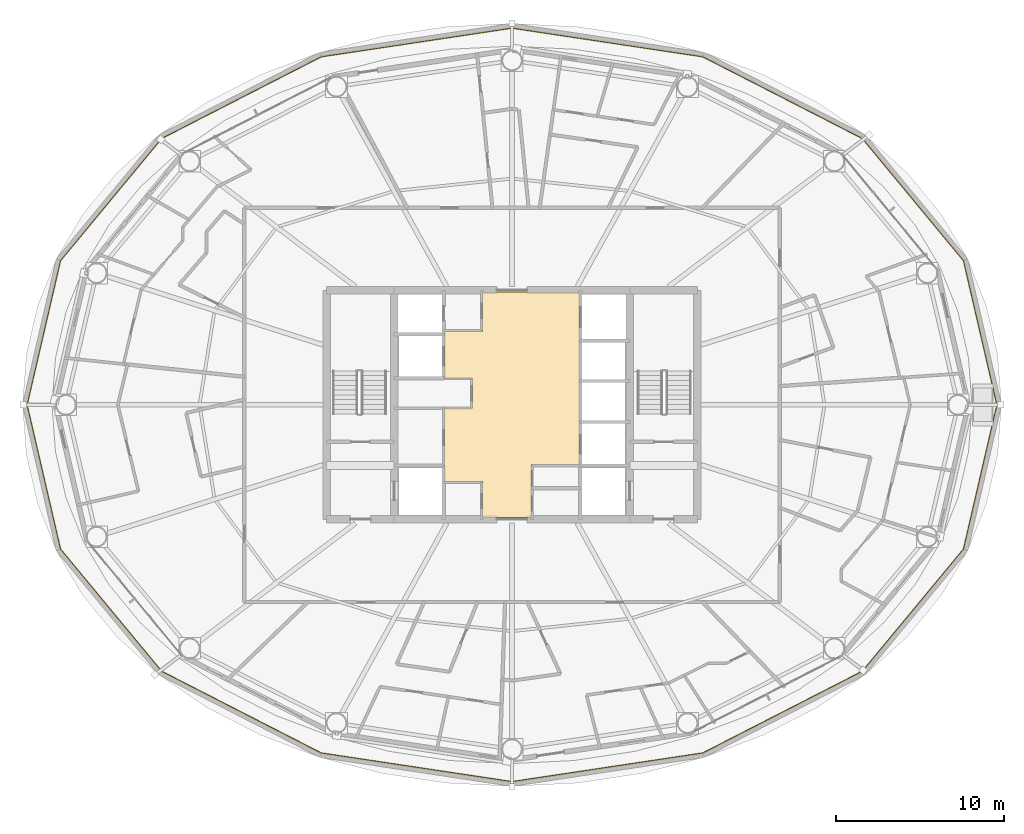
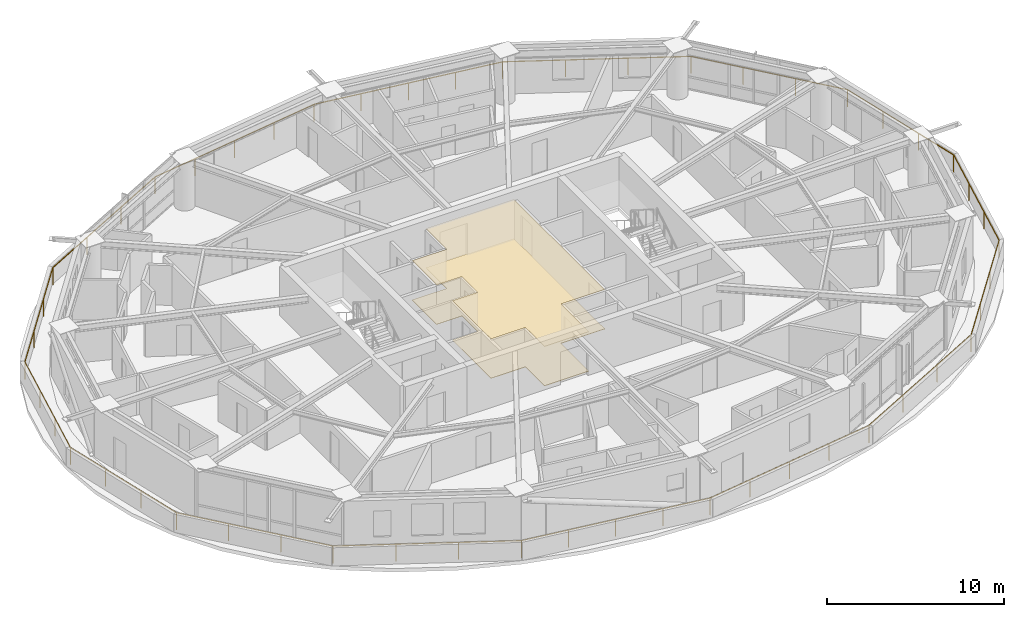
# One storey, part 26 of 27: 2 coverings, 1 railing.
"""IFC4 building model written with IfcOpenShell, lengths in metres."""

from ifc_helpers import new_model, si_unit, direction, frame, origin, origin_2d, place, context, subcontext, project, spatial, polyline, rectangle, outline, extrude, material, layer, layer_set, type_object, element, save


model = new_model("IFC4")

# Units and contexts
model_context = context("Model", 3, precision=1e-05, world=origin(), true_north=direction((0.0, 1.0)))
body_context = subcontext(model_context, "Body", "Model", "MODEL_VIEW")
ifc_project = project(units=[si_unit("LENGTHUNIT", "METRE"), si_unit("AREAUNIT", "SQUARE_METRE"), si_unit("VOLUMEUNIT", "CUBIC_METRE"), si_unit("PLANEANGLEUNIT", "RADIAN"), si_unit("MASSUNIT", "GRAM", prefix="KILO")], contexts=[model_context])

# Site, building, storey
site_placement = place(None, origin())
site = spatial("IfcSite", under=ifc_project, at=site_placement, CompositionType="ELEMENT")
building_placement = place(site_placement, origin())
building = spatial("IfcBuilding", under=site, at=building_placement, Name="Sarneth Arch Tower", CompositionType="ELEMENT")
storey_placement = place(building_placement, frame((0.0, 0.0, 150.60009765625)))
storey = spatial("IfcBuildingStorey", under=building, at=storey_placement, Name="L37", CompositionType="ELEMENT", Elevation=150.60009765625)

# Coverings
ifc_material_1 = material(Name="Perforated acoustic gypsum ceiling board")
ifc_layer_1 = layer(ifc_material_1, 0.02490234375)
ifc_layer_set_1 = layer_set([ifc_layer_1], Name="Perforated acoustic gypsum ceiling board")
covering_type_1 = type_object("IfcCoveringType", Name="COV-CEIL-GYP", PredefinedType="CEILING", material=ifc_layer_set_1)
covering_1_placement = place(storey_placement, frame((0.0, 0.0, 2.7099609375)))
element("IfcCovering", 1, at=covering_1_placement, inside=storey, type_object=covering_type_1, Name="L37 Lift lobby acoustic ceiling", PredefinedType="CEILING", context=body_context, shape_type="SweptSolid", body=[
    extrude(outline(polyline([(49.14990234375, 38.449951171875), (49.14990234375, 35.300048828125), (46.25, 35.300048828125), (46.25, 37.449951171875), (44.0, 37.449951171875), (44.0, 41.800048828125), (45.64990234375, 41.800048828125), (45.64990234375, 43.580078125), (44.0, 43.580078125), (44.0, 46.35009765625), (46.25, 46.35009765625), (46.25, 48.699951171875), (52.0, 48.699951171875), (52.0, 38.449951171875), (49.14990234375, 38.449951171875)])), origin(), (0.0, 0.0, 1.0), 0.030029296875),
])
ifc_material_2 = material(Name="Honed granite stone flooring", Category="masonry")
ifc_layer_2 = layer(ifc_material_2, 0.030029296875)
ifc_layer_set_2 = layer_set([ifc_layer_2], Name="Honed granite stone flooring")
covering_type_2 = type_object("IfcCoveringType", Name="COV-FLR-STONE", PredefinedType="FLOORING", material=ifc_layer_set_2)
covering_2_placement = place(storey_placement, origin())
element("IfcCovering", 2, at=covering_2_placement, inside=storey, type_object=covering_type_2, Name="L37 Lift lobby granite flooring", PredefinedType="FLOORING", context=body_context, shape_type="SweptSolid", body=[
    extrude(outline(polyline([(49.14990234375, 38.449951171875), (49.14990234375, 35.300048828125), (46.25, 35.300048828125), (46.25, 37.449951171875), (44.0, 37.449951171875), (44.0, 41.800048828125), (45.64990234375, 41.800048828125), (45.64990234375, 43.580078125), (44.0, 43.580078125), (44.0, 46.35009765625), (46.25, 46.35009765625), (46.25, 48.699951171875), (52.0, 48.699951171875), (52.0, 38.449951171875), (49.14990234375, 38.449951171875)])), origin(), (0.0, 0.0, 1.0), 0.02978515625),
])

# Railing
ifc_material_3 = material(Name="Laminated structural glass infill with Stainless Steel 316 top rail and posts", Category="steel")
railing_type = type_object("IfcRailingType", Name="RAIL-BALC-1200", PredefinedType="BALUSTRADE", material=ifc_material_3)
railing_placement = place(storey_placement, frame((76.79052734375, 42.0, 0.0)))
element("IfcRailing", 3, at=railing_placement, inside=storey, type_object=railing_type, Name="L37 Helical balcony glass balustrade", PredefinedType="BALUSTRADE", context=body_context, shape_type="SweptSolid", body=[
    extrude(rectangle(XDim=0.048095703125, YDim=0.048095703125, at=origin_2d()), frame((0.0, 0.0, 1.17578125), z_axis=(-0.225711650465, 0.974194154594, 0.0), x_axis=(-0.974194154594, -0.225711650465, 0.0)), (0.0, 0.0, 1.0), 8.787353515625),
    extrude(rectangle(XDim=0.048095703125, YDim=0.048095703125, at=origin_2d()), frame((-1.9833984375, 8.560546875, 1.17578125), z_axis=(-0.637770261271, 0.770226650953, 0.0), x_axis=(-0.770226650953, -0.637770261271, 0.0)), (0.0, 0.0, 1.0), 9.42236328125),
    extrude(rectangle(XDim=0.048095703125, YDim=0.048095703125, at=origin_2d()), frame((-7.99267578125, 15.81787109375, 1.17578125), z_axis=(-0.890076064796, 0.455812021426, 0.0), x_axis=(-0.455812021426, -0.890076064796, 0.0)), (0.0, 0.0, 1.0), 10.638916015625),
    extrude(rectangle(XDim=0.048095703125, YDim=0.048095703125, at=origin_2d()), frame((-17.462158203125, 20.667236328125, 1.17578125), z_axis=(-0.988889876966, 0.148649962109, 0.0), x_axis=(-0.148649962109, -0.988889876966, 0.0)), (0.0, 0.0, 1.0), 11.45556640625),
    extrude(rectangle(XDim=0.048095703125, YDim=0.048095703125, at=origin_2d()), frame((-28.79052734375, 22.3701171875, 1.17578125), z_axis=(-0.988889876966, -0.148649962109, 0.0), x_axis=(0.148649962109, -0.988889876966, 0.0)), (0.0, 0.0, 1.0), 11.45556640625),
    extrude(rectangle(XDim=0.048095703125, YDim=0.048095703125, at=origin_2d()), frame((-40.118896484375, 20.667236328125, 1.17578125), z_axis=(-0.890076064796, -0.455812021426, 0.0), x_axis=(0.455812021426, -0.890076064796, 0.0)), (0.0, 0.0, 1.0), 10.638916015625),
    extrude(rectangle(XDim=0.048095703125, YDim=0.048095703125, at=origin_2d()), frame((-49.58837890625, 15.81787109375, 1.17578125), z_axis=(-0.637770261271, -0.770226650953, 0.0), x_axis=(0.770226650953, -0.637770261271, 0.0)), (0.0, 0.0, 1.0), 9.42236328125),
    extrude(rectangle(XDim=0.048095703125, YDim=0.048095703125, at=origin_2d()), frame((-55.59765625, 8.560546875, 1.17578125), z_axis=(-0.225711650465, -0.974194154594, 0.0), x_axis=(0.974194154594, -0.225711650465, 0.0)), (0.0, 0.0, 1.0), 8.787353515625),
    extrude(rectangle(XDim=0.048095703125, YDim=0.048095703125, at=origin_2d()), frame((-57.5810546875, 0.0, 1.17578125), z_axis=(0.225711650465, -0.974194154594, 0.0), x_axis=(0.974194154594, 0.225711650465, 0.0)), (0.0, 0.0, 1.0), 8.787353515625),
    extrude(rectangle(XDim=0.048095703125, YDim=0.048095703125, at=origin_2d()), frame((-55.59765625, -8.560546875, 1.17578125), z_axis=(0.637770261271, -0.770226650953, 0.0), x_axis=(0.770226650953, 0.637770261271, 0.0)), (0.0, 0.0, 1.0), 9.42236328125),
    extrude(rectangle(XDim=0.048095703125, YDim=0.048095703125, at=origin_2d()), frame((-49.58837890625, -15.81787109375, 1.17578125), z_axis=(0.890076064796, -0.455812021426, 0.0), x_axis=(0.455812021426, 0.890076064796, 0.0)), (0.0, 0.0, 1.0), 10.638916015625),
    extrude(rectangle(XDim=0.048095703125, YDim=0.048095703125, at=origin_2d()), frame((-40.118896484375, -20.667236328125, 1.17578125), z_axis=(0.988889876966, -0.148649962109, 0.0), x_axis=(0.148649962109, 0.988889876966, 0.0)), (0.0, 0.0, 1.0), 11.45556640625),
    extrude(rectangle(XDim=0.048095703125, YDim=0.048095703125, at=origin_2d()), frame((-28.79052734375, -22.3701171875, 1.17578125), z_axis=(0.988889876966, 0.148649962109, 0.0), x_axis=(-0.148649962109, 0.988889876966, 0.0)), (0.0, 0.0, 1.0), 11.45556640625),
    extrude(rectangle(XDim=0.048095703125, YDim=0.048095703125, at=origin_2d()), frame((-17.462158203125, -20.667236328125, 1.17578125), z_axis=(0.890076064796, 0.455812021426, 0.0), x_axis=(-0.455812021426, 0.890076064796, 0.0)), (0.0, 0.0, 1.0), 10.638916015625),
    extrude(rectangle(XDim=0.048095703125, YDim=0.048095703125, at=origin_2d()), frame((-7.99267578125, -15.81787109375, 1.17578125), z_axis=(0.637770261271, 0.770226650953, 0.0), x_axis=(-0.770226650953, 0.637770261271, 0.0)), (0.0, 0.0, 1.0), 9.42236328125),
    extrude(rectangle(XDim=0.048095703125, YDim=0.048095703125, at=origin_2d()), frame((-1.9833984375, -8.560546875, 1.17578125), z_axis=(0.225711650465, 0.974194154594, 0.0), x_axis=(-0.974194154594, 0.225711650465, 0.0)), (0.0, 0.0, 1.0), 8.787353515625),
    extrude(rectangle(XDim=0.0419921875, YDim=0.0419921875, at=origin_2d()), origin(), (0.0, 0.0, 1.0), 1.15185546875),
    extrude(rectangle(XDim=0.0419921875, YDim=0.0419921875, at=origin_2d()), frame((-0.6611328125, 2.853515625, 0.0)), (0.0, 0.0, 1.0), 1.15185546875),
    extrude(rectangle(XDim=0.0419921875, YDim=0.0419921875, at=origin_2d()), frame((-1.322265625, 5.70703125, 0.0)), (0.0, 0.0, 1.0), 1.15185546875),
    extrude(rectangle(XDim=0.0419921875, YDim=0.0419921875, at=origin_2d()), frame((-1.9833984375, 8.560546875, 0.0)), (0.0, 0.0, 1.0), 1.15185546875),
    extrude(rectangle(XDim=0.0419921875, YDim=0.0419921875, at=origin_2d()), frame((-3.986572265625, 10.979736328125, 0.0)), (0.0, 0.0, 1.0), 1.15185546875),
    extrude(rectangle(XDim=0.0419921875, YDim=0.0419921875, at=origin_2d()), frame((-5.989501953125, 13.398681640625, 0.0)), (0.0, 0.0, 1.0), 1.15185546875),
    extrude(rectangle(XDim=0.0419921875, YDim=0.0419921875, at=origin_2d()), frame((-7.99267578125, 15.81787109375, 0.0)), (0.0, 0.0, 1.0), 1.15185546875),
    extrude(rectangle(XDim=0.0419921875, YDim=0.0419921875, at=origin_2d()), frame((-11.149169921875, 17.434326171875, 0.0)), (0.0, 0.0, 1.0), 1.15185546875),
    extrude(rectangle(XDim=0.0419921875, YDim=0.0419921875, at=origin_2d()), frame((-14.3056640625, 19.05078125, 0.0)), (0.0, 0.0, 1.0), 1.15185546875),
    extrude(rectangle(XDim=0.0419921875, YDim=0.0419921875, at=origin_2d()), frame((-17.462158203125, 20.667236328125, 0.0)), (0.0, 0.0, 1.0), 1.15185546875),
    extrude(rectangle(XDim=0.0419921875, YDim=0.0419921875, at=origin_2d()), frame((-20.294189453125, 21.093017578125, 0.0)), (0.0, 0.0, 1.0), 1.15185546875),
    extrude(rectangle(XDim=0.0419921875, YDim=0.0419921875, at=origin_2d()), frame((-23.12646484375, 21.5185546875, 0.0)), (0.0, 0.0, 1.0), 1.15185546875),
    extrude(rectangle(XDim=0.0419921875, YDim=0.0419921875, at=origin_2d()), frame((-25.95849609375, 21.9443359375, 0.0)), (0.0, 0.0, 1.0), 1.15185546875),
    extrude(rectangle(XDim=0.0419921875, YDim=0.0419921875, at=origin_2d()), frame((-28.79052734375, 22.3701171875, 0.0)), (0.0, 0.0, 1.0), 1.15185546875),
    extrude(rectangle(XDim=0.0419921875, YDim=0.0419921875, at=origin_2d()), frame((-31.62255859375, 21.9443359375, 0.0)), (0.0, 0.0, 1.0), 1.15185546875),
    extrude(rectangle(XDim=0.0419921875, YDim=0.0419921875, at=origin_2d()), frame((-34.45458984375, 21.5185546875, 0.0)), (0.0, 0.0, 1.0), 1.15185546875),
    extrude(rectangle(XDim=0.0419921875, YDim=0.0419921875, at=origin_2d()), frame((-37.286865234375, 21.093017578125, 0.0)), (0.0, 0.0, 1.0), 1.15185546875),
    extrude(rectangle(XDim=0.0419921875, YDim=0.0419921875, at=origin_2d()), frame((-40.118896484375, 20.667236328125, 0.0)), (0.0, 0.0, 1.0), 1.15185546875),
    extrude(rectangle(XDim=0.0419921875, YDim=0.0419921875, at=origin_2d()), frame((-43.275390625, 19.05078125, 0.0)), (0.0, 0.0, 1.0), 1.15185546875),
    extrude(rectangle(XDim=0.0419921875, YDim=0.0419921875, at=origin_2d()), frame((-46.431884765625, 17.434326171875, 0.0)), (0.0, 0.0, 1.0), 1.15185546875),
    extrude(rectangle(XDim=0.0419921875, YDim=0.0419921875, at=origin_2d()), frame((-49.58837890625, 15.81787109375, 0.0)), (0.0, 0.0, 1.0), 1.15185546875),
    extrude(rectangle(XDim=0.0419921875, YDim=0.0419921875, at=origin_2d()), frame((-51.591552734375, 13.398681640625, 0.0)), (0.0, 0.0, 1.0), 1.15185546875),
    extrude(rectangle(XDim=0.0419921875, YDim=0.0419921875, at=origin_2d()), frame((-53.594482421875, 10.979736328125, 0.0)), (0.0, 0.0, 1.0), 1.15185546875),
    extrude(rectangle(XDim=0.0419921875, YDim=0.0419921875, at=origin_2d()), frame((-55.59765625, 8.560546875, 0.0)), (0.0, 0.0, 1.0), 1.15185546875),
    extrude(rectangle(XDim=0.0419921875, YDim=0.0419921875, at=origin_2d()), frame((-56.2587890625, 5.70703125, 0.0)), (0.0, 0.0, 1.0), 1.15185546875),
    extrude(rectangle(XDim=0.0419921875, YDim=0.0419921875, at=origin_2d()), frame((-56.919921875, 2.853515625, 0.0)), (0.0, 0.0, 1.0), 1.15185546875),
    extrude(rectangle(XDim=0.0419921875, YDim=0.0419921875, at=origin_2d()), frame((-57.5810546875, 0.0, 0.0)), (0.0, 0.0, 1.0), 1.15185546875),
    extrude(rectangle(XDim=0.0419921875, YDim=0.0419921875, at=origin_2d()), frame((-56.919921875, -2.853515625, 0.0)), (0.0, 0.0, 1.0), 1.15185546875),
    extrude(rectangle(XDim=0.0419921875, YDim=0.0419921875, at=origin_2d()), frame((-56.2587890625, -5.70703125, 0.0)), (0.0, 0.0, 1.0), 1.15185546875),
    extrude(rectangle(XDim=0.0419921875, YDim=0.0419921875, at=origin_2d()), frame((-55.59765625, -8.560546875, 0.0)), (0.0, 0.0, 1.0), 1.15185546875),
    extrude(rectangle(XDim=0.0419921875, YDim=0.0419921875, at=origin_2d()), frame((-53.594482421875, -10.979736328125, 0.0)), (0.0, 0.0, 1.0), 1.15185546875),
    extrude(rectangle(XDim=0.0419921875, YDim=0.0419921875, at=origin_2d()), frame((-51.591552734375, -13.398681640625, 0.0)), (0.0, 0.0, 1.0), 1.15185546875),
    extrude(rectangle(XDim=0.0419921875, YDim=0.0419921875, at=origin_2d()), frame((-49.58837890625, -15.81787109375, 0.0)), (0.0, 0.0, 1.0), 1.15185546875),
    extrude(rectangle(XDim=0.0419921875, YDim=0.0419921875, at=origin_2d()), frame((-46.431884765625, -17.434326171875, 0.0)), (0.0, 0.0, 1.0), 1.15185546875),
    extrude(rectangle(XDim=0.0419921875, YDim=0.0419921875, at=origin_2d()), frame((-43.275390625, -19.05078125, 0.0)), (0.0, 0.0, 1.0), 1.15185546875),
    extrude(rectangle(XDim=0.0419921875, YDim=0.0419921875, at=origin_2d()), frame((-40.118896484375, -20.667236328125, 0.0)), (0.0, 0.0, 1.0), 1.15185546875),
    extrude(rectangle(XDim=0.0419921875, YDim=0.0419921875, at=origin_2d()), frame((-37.286865234375, -21.093017578125, 0.0)), (0.0, 0.0, 1.0), 1.15185546875),
    extrude(rectangle(XDim=0.0419921875, YDim=0.0419921875, at=origin_2d()), frame((-34.45458984375, -21.5185546875, 0.0)), (0.0, 0.0, 1.0), 1.15185546875),
    extrude(rectangle(XDim=0.0419921875, YDim=0.0419921875, at=origin_2d()), frame((-31.62255859375, -21.9443359375, 0.0)), (0.0, 0.0, 1.0), 1.15185546875),
    extrude(rectangle(XDim=0.0419921875, YDim=0.0419921875, at=origin_2d()), frame((-28.79052734375, -22.3701171875, 0.0)), (0.0, 0.0, 1.0), 1.15185546875),
    extrude(rectangle(XDim=0.0419921875, YDim=0.0419921875, at=origin_2d()), frame((-25.95849609375, -21.9443359375, 0.0)), (0.0, 0.0, 1.0), 1.15185546875),
    extrude(rectangle(XDim=0.0419921875, YDim=0.0419921875, at=origin_2d()), frame((-23.12646484375, -21.5185546875, 0.0)), (0.0, 0.0, 1.0), 1.15185546875),
    extrude(rectangle(XDim=0.0419921875, YDim=0.0419921875, at=origin_2d()), frame((-20.294189453125, -21.093017578125, 0.0)), (0.0, 0.0, 1.0), 1.15185546875),
    extrude(rectangle(XDim=0.0419921875, YDim=0.0419921875, at=origin_2d()), frame((-17.462158203125, -20.667236328125, 0.0)), (0.0, 0.0, 1.0), 1.15185546875),
    extrude(rectangle(XDim=0.0419921875, YDim=0.0419921875, at=origin_2d()), frame((-14.3056640625, -19.05078125, 0.0)), (0.0, 0.0, 1.0), 1.15185546875),
    extrude(rectangle(XDim=0.0419921875, YDim=0.0419921875, at=origin_2d()), frame((-11.149169921875, -17.434326171875, 0.0)), (0.0, 0.0, 1.0), 1.15185546875),
    extrude(rectangle(XDim=0.0419921875, YDim=0.0419921875, at=origin_2d()), frame((-7.99267578125, -15.81787109375, 0.0)), (0.0, 0.0, 1.0), 1.15185546875),
    extrude(rectangle(XDim=0.0419921875, YDim=0.0419921875, at=origin_2d()), frame((-5.989501953125, -13.398681640625, 0.0)), (0.0, 0.0, 1.0), 1.15185546875),
    extrude(rectangle(XDim=0.0419921875, YDim=0.0419921875, at=origin_2d()), frame((-3.986572265625, -10.979736328125, 0.0)), (0.0, 0.0, 1.0), 1.15185546875),
    extrude(rectangle(XDim=0.0419921875, YDim=0.0419921875, at=origin_2d()), frame((-1.9833984375, -8.560546875, 0.0)), (0.0, 0.0, 1.0), 1.15185546875),
    extrude(rectangle(XDim=0.0419921875, YDim=0.0419921875, at=origin_2d()), frame((-1.322265625, -5.70703125, 0.0)), (0.0, 0.0, 1.0), 1.15185546875),
    extrude(rectangle(XDim=0.0419921875, YDim=0.0419921875, at=origin_2d()), frame((-0.6611328125, -2.853515625, 0.0)), (0.0, 0.0, 1.0), 1.15185546875),
])

save(model, "model.ifc")
